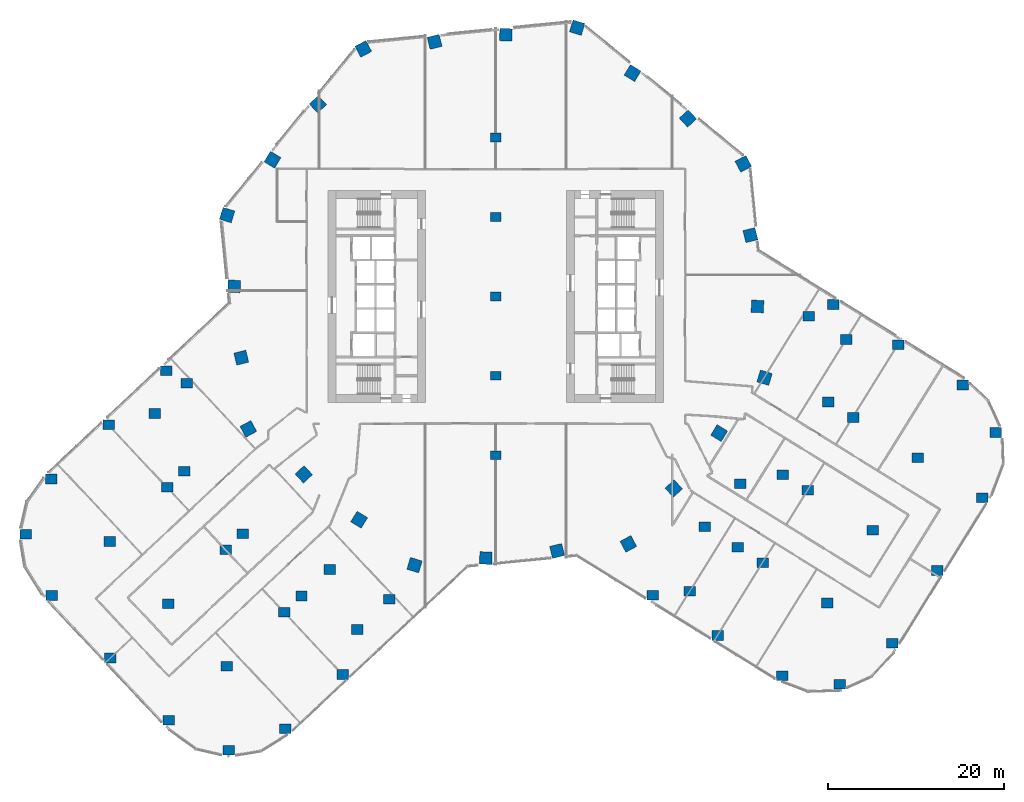
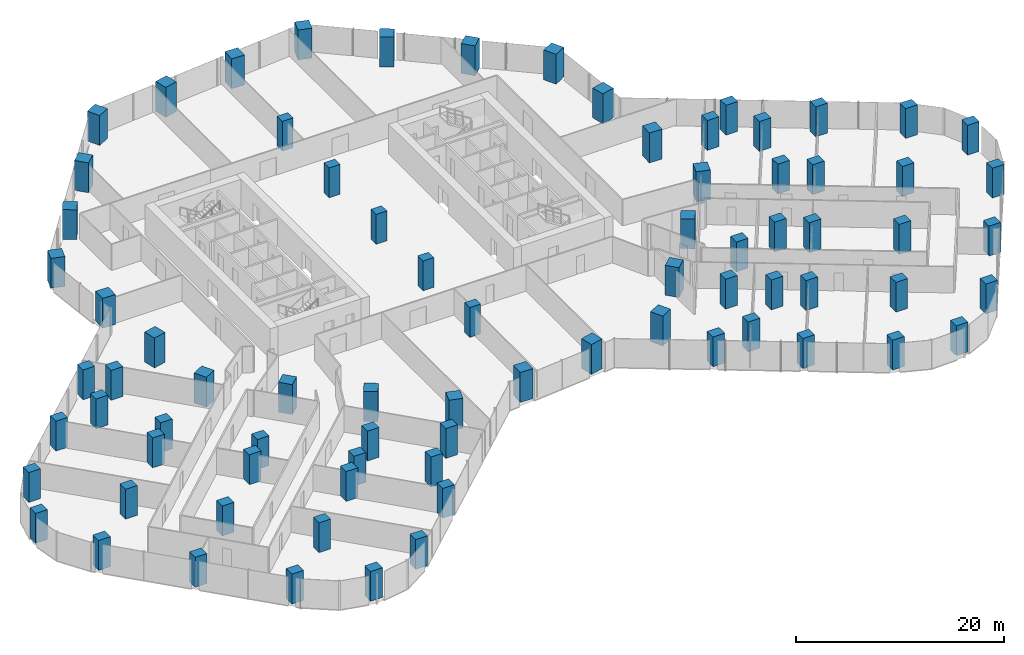
# One storey, part 1 of 34: 78 columns.
"""IFC4 building model written with IfcOpenShell, lengths in metres."""

from ifc_helpers import new_model, si_unit, direction, frame, origin, origin_2d, place, context, subcontext, project, spatial, rectangle, extrude, material, material_profile, profile_set, type_object, element, save


model = new_model("IFC4")

# Units and contexts
model_context = context("Model", 3, precision=1e-05, world=origin(), true_north=direction((0.0, 1.0)))
body_context = subcontext(model_context, "Body", "Model", "MODEL_VIEW")
ifc_project = project(units=[si_unit("LENGTHUNIT", "METRE"), si_unit("AREAUNIT", "SQUARE_METRE"), si_unit("VOLUMEUNIT", "CUBIC_METRE"), si_unit("PLANEANGLEUNIT", "RADIAN"), si_unit("MASSUNIT", "GRAM", prefix="KILO")], contexts=[model_context])

# Site, building, storey
site_placement = place(None, origin())
site = spatial("IfcSite", under=ifc_project, at=site_placement, CompositionType="ELEMENT")
building_placement = place(site_placement, origin())
building = spatial("IfcBuilding", under=site, at=building_placement, Name="Orlundy Tower", CompositionType="ELEMENT")
storey_placement = place(building_placement, frame((0.0, 0.0, 44.300048828125)))
storey = spatial("IfcBuildingStorey", under=building, at=storey_placement, Name="L09", CompositionType="ELEMENT", Elevation=44.300048828125)

# Columns
ifc_material_1 = material(Name="Concrete C80/95", Category="concrete")
ifc_material_profile_1 = material_profile(ifc_material_1, rectangle(XDim=1.199951171875, YDim=1.0, at=origin_2d()), Name="RC1200X1000")
ifc_profile_set_1 = profile_set([ifc_material_profile_1], Name="Concrete C80/95")
column_type_1 = type_object("IfcColumnType", Name="RC COLUMN RC1200X1000 C80/95", PredefinedType="COLUMN", material=ifc_profile_set_1)
for number, where, z_axis, x_axis, name in (
    (1, (0.0, -18.0, 0.0), (0.0, 0.0, 1.0), (1.0, 0.0, 0.0), "Column C-M1 L09"),
    (2, (0.0, -9.0, 0.0), (0.0, 0.0, 1.0), (1.0, 0.0, 0.0), "Column C-M2 L09"),
    (3, (0.0, 0.0, 0.0), (0.0, 0.0, 1.0), (1.0, 0.0, 0.0), "Column C-M3 L09"),
    (4, (0.0, 9.0, 0.0), (0.0, 0.0, 1.0), (1.0, 0.0, 0.0), "Column C-M4 L09"),
    (5, (0.0, 18.0, 0.0), (0.0, 0.0, 1.0), (1.0, 0.0, 0.0), "Column C-M5 L09"),
):
    element("IfcColumn", number, at=place(storey_placement, frame(where, z_axis=z_axis, x_axis=x_axis)), inside=storey, type_object=column_type_1, Name=name, PredefinedType="COLUMN", context=body_context, shape_type="SweptSolid", body=[
        extrude(rectangle(XDim=1.199951171875, YDim=1.0, at=origin_2d()), origin(), (0.0, 0.0, 1.0), 3.5),
    ])
ifc_material_2 = material(Name="Concrete C80/95", Category="concrete")
ifc_material_profile_2 = material_profile(ifc_material_2, rectangle(XDim=1.300048828125, YDim=1.10009765625, at=origin_2d()), Name="RC1300X1100")
ifc_profile_set_2 = profile_set([ifc_material_profile_2], Name="Concrete C80/95")
column_type_2 = type_object("IfcColumnType", Name="RC COLUMN RC1300X1100 C80/95", PredefinedType="COLUMN", material=ifc_profile_set_2)
for number, where, z_axis, x_axis, name in (
    (6, (17.803955078125, -33.887939453125, 0.0), (0.0, 0.0, 1.0), (1.0, 0.0, 0.0), "Column C-A1-1 L09"),
    (7, (25.138916015625, -38.44091796875, 0.0), (0.0, 0.0, 1.0), (1.0, 0.0, 0.0), "Column C-A1-2 L09"),
    (8, (32.47509765625, -42.991943359375, 0.0), (0.0, 0.0, 1.0), (1.0, 0.0, 0.0), "Column C-A1-3 L09"),
    (9, (38.968017578125, -43.958984375, 0.0), (0.0, 0.0, 1.0), (1.0, 0.0, 0.0), "Column C-A1-5 L09"),
    (10, (21.97705078125, -33.409912109375, 0.0), (0.0, 0.0, 1.0), (1.0, 0.0, 0.0), "Column C-A1-6 L09"),
    (11, (30.2548828125, -30.199951171875, 0.0), (0.0, 0.0, 1.0), (1.0, 0.0, 0.0), "Column C-A2-2 L09"),
    (12, (37.590087890625, -34.75390625, 0.0), (0.0, 0.0, 1.0), (1.0, 0.0, 0.0), "Column C-A2-3 L09"),
    (13, (44.924072265625, -39.30810546875, 0.0), (0.0, 0.0, 1.0), (1.0, 0.0, 0.0), "Column C-A2-5 L09"),
    (14, (27.423095703125, -28.44189453125, 0.0), (0.0, 0.0, 1.0), (1.0, 0.0, 0.0), "Column C-A2-6 L09"),
    (15, (23.68505859375, -26.1220703125, 0.0), (0.0, 0.0, 1.0), (1.0, 0.0, 0.0), "Column C-A2-7 L09"),
    (16, (35.37109375, -21.9599609375, 0.0), (0.0, 0.0, 1.0), (1.0, 0.0, 0.0), "Column C-A3-2 L09"),
    (17, (42.7060546875, -26.512939453125, 0.0), (0.0, 0.0, 1.0), (1.0, 0.0, 0.0), "Column C-A3-3 L09"),
    (18, (50.041015625, -31.06689453125, 0.0), (0.0, 0.0, 1.0), (1.0, 0.0, 0.0), "Column C-A3-5 L09"),
    (19, (32.5390625, -20.200927734375, 0.0), (0.0, 0.0, 1.0), (1.0, 0.0, 0.0), "Column C-A3-6 L09"),
    (20, (27.68798828125, -21.24609375, 0.0), (0.0, 0.0, 1.0), (1.0, 0.0, 0.0), "Column C-A3-7 L09"),
    (21, (40.487060546875, -13.718994140625, 0.0), (0.0, 0.0, 1.0), (1.0, 0.0, 0.0), "Column C-A4-2 L09"),
    (22, (47.822021484375, -18.27197265625, 0.0), (0.0, 0.0, 1.0), (1.0, 0.0, 0.0), "Column C-A4-3 L09"),
    (23, (55.156982421875, -22.825927734375, 0.0), (0.0, 0.0, 1.0), (1.0, 0.0, 0.0), "Column C-A4-5 L09"),
    (24, (37.655029296875, -11.9599609375, 0.0), (0.0, 0.0, 1.0), (1.0, 0.0, 0.0), "Column C-A4-6 L09"),
    (25, (38.26904296875, -0.924072265625, 0.0), (0.0, 0.0, 1.0), (1.0, 0.0, 0.0), "Column C-A5-1 L09"),
    (26, (45.60400390625, -5.47802734375, 0.0), (0.0, 0.0, 1.0), (1.0, 0.0, 0.0), "Column C-A5-2 L09"),
    (27, (52.93603515625, -10.034912109375, 0.0), (0.0, 0.0, 1.0), (1.0, 0.0, 0.0), "Column C-A5-3 L09"),
    (28, (56.68408203125, -15.425048828125, 0.0), (0.0, 0.0, 1.0), (1.0, 0.0, 0.0), "Column C-A5-5 L09"),
    (29, (39.69189453125, -4.8759765625, 0.0), (0.0, 0.0, 1.0), (1.0, 0.0, 0.0), "Column C-A5-6 L09"),
    (30, (35.444091796875, -2.238037109375, 0.0), (0.0, 0.0, 1.0), (1.0, 0.0, 0.0), "Column C-A5-7 L09"),
    (31, (-37.341064453125, -8.426025390625, 0.0), (0.0, 0.0, 1.0), (1.0, 0.0, 0.0), "Column C-B1-1 L09"),
    (32, (-43.881103515625, -14.56103515625, 0.0), (0.0, 0.0, 1.0), (1.0, 0.0, 0.0), "Column C-B1-2 L09"),
    (33, (-50.4208984375, -20.695068359375, 0.0), (0.0, 0.0, 1.0), (1.0, 0.0, 0.0), "Column C-B1-3 L09"),
    (34, (-53.27587890625, -26.947021484375, 0.0), (0.0, 0.0, 1.0), (1.0, 0.0, 0.0), "Column C-B1-5 L09"),
    (35, (-38.68896484375, -13.264892578125, 0.0), (0.0, 0.0, 1.0), (1.0, 0.0, 0.0), "Column C-B1-6 L09"),
    (36, (-35.0419921875, -9.843994140625, 0.0), (0.0, 0.0, 1.0), (1.0, 0.0, 0.0), "Column C-B1-7 L09"),
    (37, (-37.2451171875, -21.635009765625, 0.0), (0.0, 0.0, 1.0), (1.0, 0.0, 0.0), "Column C-B2-2 L09"),
    (38, (-43.784912109375, -27.77001953125, 0.0), (0.0, 0.0, 1.0), (1.0, 0.0, 0.0), "Column C-B2-3 L09"),
    (39, (-50.324951171875, -33.904052734375, 0.0), (0.0, 0.0, 1.0), (1.0, 0.0, 0.0), "Column C-B2-5 L09"),
    (40, (-35.300048828125, -19.81103515625, 0.0), (0.0, 0.0, 1.0), (1.0, 0.0, 0.0), "Column C-B2-6 L09"),
    (41, (-30.60888671875, -28.7099609375, 0.0), (0.0, 0.0, 1.0), (1.0, 0.0, 0.0), "Column C-B3-2 L09"),
    (42, (-37.14892578125, -34.844970703125, 0.0), (0.0, 0.0, 1.0), (1.0, 0.0, 0.0), "Column C-B3-3 L09"),
    (43, (-43.68896484375, -40.97900390625, 0.0), (0.0, 0.0, 1.0), (1.0, 0.0, 0.0), "Column C-B3-5 L09"),
    (44, (-28.6640625, -26.885986328125, 0.0), (0.0, 0.0, 1.0), (1.0, 0.0, 0.0), "Column C-B3-6 L09"),
    (45, (-23.972900390625, -35.784912109375, 0.0), (0.0, 0.0, 1.0), (1.0, 0.0, 0.0), "Column C-B4-2 L09"),
    (46, (-30.512939453125, -41.919921875, 0.0), (0.0, 0.0, 1.0), (1.0, 0.0, 0.0), "Column C-B4-3 L09"),
    (47, (-37.052978515625, -48.053955078125, 0.0), (0.0, 0.0, 1.0), (1.0, 0.0, 0.0), "Column C-B4-5 L09"),
    (48, (-22.028076171875, -33.9609375, 0.0), (0.0, 0.0, 1.0), (1.0, 0.0, 0.0), "Column C-B4-6 L09"),
    (49, (-18.819091796875, -30.950927734375, 0.0), (0.0, 0.0, 1.0), (1.0, 0.0, 0.0), "Column C-B4-7 L09"),
    (50, (-17.3369140625, -42.860107421875, 0.0), (0.0, 0.0, 1.0), (1.0, 0.0, 0.0), "Column C-B5-2 L09"),
    (51, (-23.876953125, -48.993896484375, 0.0), (0.0, 0.0, 1.0), (1.0, 0.0, 0.0), "Column C-B5-3 L09"),
    (52, (-30.299072265625, -51.444091796875, 0.0), (0.0, 0.0, 1.0), (1.0, 0.0, 0.0), "Column C-B5-5 L09"),
    (53, (-15.7119140625, -37.761962890625, 0.0), (0.0, 0.0, 1.0), (1.0, 0.0, 0.0), "Column C-B5-6 L09"),
    (54, (-12.06494140625, -34.341064453125, 0.0), (0.0, 0.0, 1.0), (1.0, 0.0, 0.0), "Column C-B5-7 L09"),
):
    element("IfcColumn", number, at=place(storey_placement, frame(where, z_axis=z_axis, x_axis=x_axis)), inside=storey, type_object=column_type_2, Name=name, PredefinedType="COLUMN", context=body_context, shape_type="SweptSolid", body=[
        extrude(rectangle(XDim=1.300048828125, YDim=1.10009765625, at=origin_2d()), origin(), (0.0, 0.0, 1.0), 3.5),
    ])
ifc_material_3 = material(Name="Concrete C80/95", Category="concrete")
ifc_material_profile_3 = material_profile(ifc_material_3, rectangle(XDim=1.39990234375, YDim=1.39990234375, at=origin_2d()), Name="RC1400X1400")
ifc_profile_set_3 = profile_set([ifc_material_profile_3], Name="Concrete C80/95")
column_type_3 = type_object("IfcColumnType", Name="RC COLUMN RC1400X1400 C80/95", PredefinedType="COLUMN", material=ifc_profile_set_3)
for number, where, z_axis, x_axis, name in (
    (55, (28.053955078125, 15.02099609375, 0.0), (0.0, 0.0, 1.0), (0.881583714147, 0.472027705702, 0.0), "Column C-H01 L09"),
    (56, (28.85595703125, 6.94189453125, 0.0), (0.0, 0.0, 1.0), (0.972259803901, 0.233903556449, 0.0), "Column C-H02 L09"),
    (57, (29.656982421875, -1.135986328125, 0.0), (0.0, 0.0, 1.0), (0.999266930894, -0.038283166309, 0.0), "Column C-H03 L09"),
    (58, (30.458984375, -9.215087890625, 0.0), (0.0, 0.0, 1.0), (0.957152868392, -0.289583125422, 0.0), "Column C-H04 L09"),
    (59, (25.31298828125, -15.4951171875, 0.0), (0.0, 0.0, 1.0), (0.852895403498, -0.522081823751, 0.0), "Column C-H05 L09"),
    (60, (20.1669921875, -21.77392578125, 0.0), (0.0, 0.0, 1.0), (0.679518136548, -0.733658709553, 0.0), "Column C-H06 L09"),
    (61, (15.02099609375, -28.053955078125, 0.0), (0.0, 0.0, 1.0), (0.472027705702, -0.881583714147, 0.0), "Column C-H07 L09"),
    (62, (6.94189453125, -28.85595703125, 0.0), (0.0, 0.0, 1.0), (0.233903556449, -0.972259803901, 0.0), "Column C-H08 L09"),
    (63, (-1.135986328125, -29.656982421875, 0.0), (0.0, 0.0, 1.0), (-0.038283166309, -0.999266930894, 0.0), "Column C-H09 L09"),
    (64, (-9.215087890625, -30.458984375, 0.0), (0.0, 0.0, 1.0), (-0.289583125422, -0.957152868392, 0.0), "Column C-H10 L09"),
    (65, (-15.4951171875, -25.31298828125, 0.0), (0.0, 0.0, 1.0), (-0.522081823751, -0.852895403498, 0.0), "Column C-H11 L09"),
    (66, (-21.77392578125, -20.1669921875, 0.0), (0.0, 0.0, 1.0), (-0.733658709553, -0.679518136548, 0.0), "Column C-H12 L09"),
    (67, (-28.053955078125, -15.02099609375, 0.0), (0.0, 0.0, 1.0), (-0.881583714147, -0.472027705702, 0.0), "Column C-H13 L09"),
    (68, (-28.85595703125, -6.94189453125, 0.0), (0.0, 0.0, 1.0), (-0.972259803901, -0.233903556449, 0.0), "Column C-H14 L09"),
    (69, (-29.656982421875, 1.135986328125, 0.0), (0.0, 0.0, 1.0), (-0.999266930894, 0.038283166309, 0.0), "Column C-H15 L09"),
    (70, (-30.458984375, 9.215087890625, 0.0), (0.0, 0.0, 1.0), (-0.957152868392, 0.289583125422, 0.0), "Column C-H16 L09"),
    (71, (-25.31298828125, 15.4951171875, 0.0), (0.0, 0.0, 1.0), (-0.852895403498, 0.522081823751, 0.0), "Column C-H17 L09"),
    (72, (-20.1669921875, 21.77392578125, 0.0), (0.0, 0.0, 1.0), (-0.679518136548, 0.733658709553, 0.0), "Column C-H18 L09"),
    (73, (-15.02099609375, 28.053955078125, 0.0), (0.0, 0.0, 1.0), (-0.472027705702, 0.881583714147, 0.0), "Column C-H19 L09"),
    (74, (-6.94189453125, 28.85595703125, 0.0), (0.0, 0.0, 1.0), (-0.233903556449, 0.972259803901, 0.0), "Column C-H20 L09"),
    (75, (1.135986328125, 29.656982421875, 0.0), (0.0, 0.0, 1.0), (0.038283166309, 0.999266930894, 0.0), "Column C-H21 L09"),
    (76, (9.215087890625, 30.458984375, 0.0), (0.0, 0.0, 1.0), (0.289583125422, 0.957152868392, 0.0), "Column C-H22 L09"),
    (77, (15.4951171875, 25.31298828125, 0.0), (0.0, 0.0, 1.0), (0.522081823751, 0.852895403498, 0.0), "Column C-H23 L09"),
    (78, (21.77392578125, 20.1669921875, 0.0), (0.0, 0.0, 1.0), (0.733658709553, 0.679518136548, 0.0), "Column C-H24 L09"),
):
    element("IfcColumn", number, at=place(storey_placement, frame(where, z_axis=z_axis, x_axis=x_axis)), inside=storey, type_object=column_type_3, Name=name, PredefinedType="COLUMN", context=body_context, shape_type="SweptSolid", body=[
        extrude(rectangle(XDim=1.39990234375, YDim=1.39990234375, at=origin_2d()), origin(), (0.0, 0.0, 1.0), 3.5),
    ])

save(model, "model.ifc")
